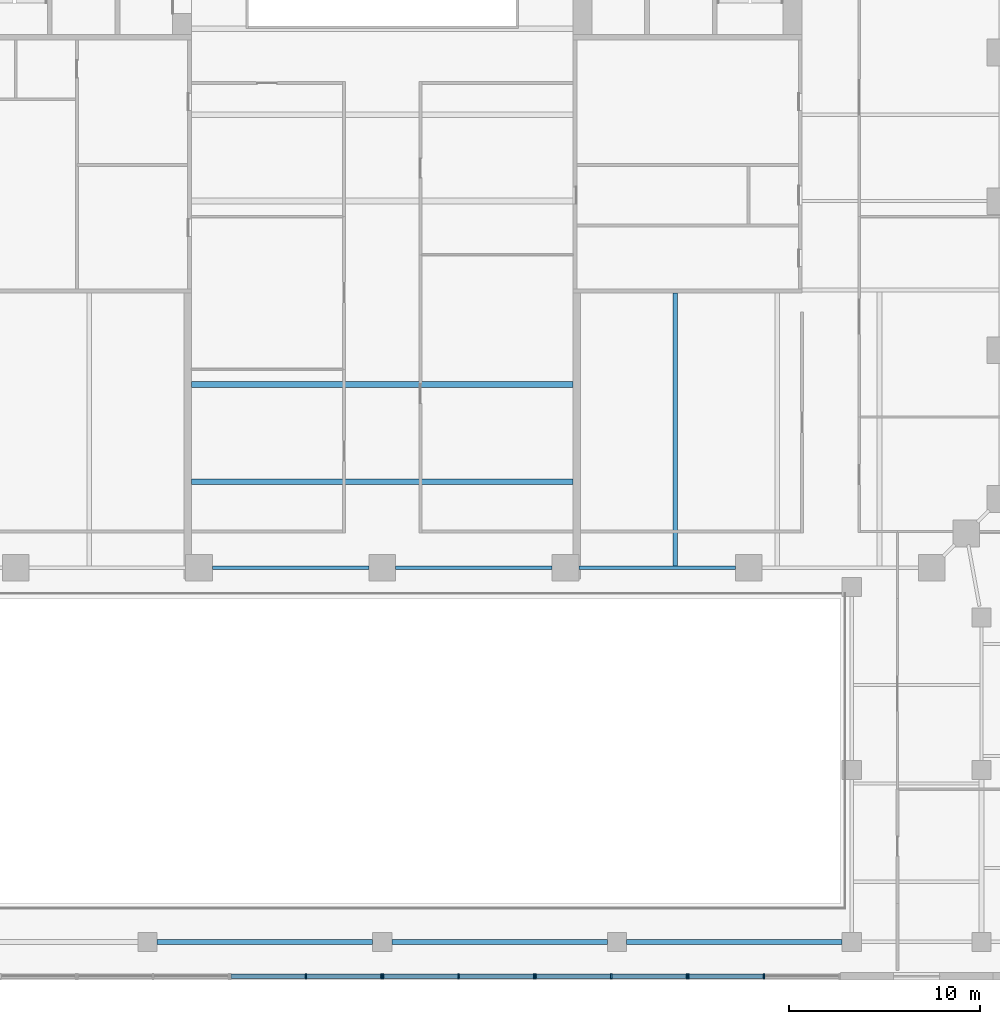
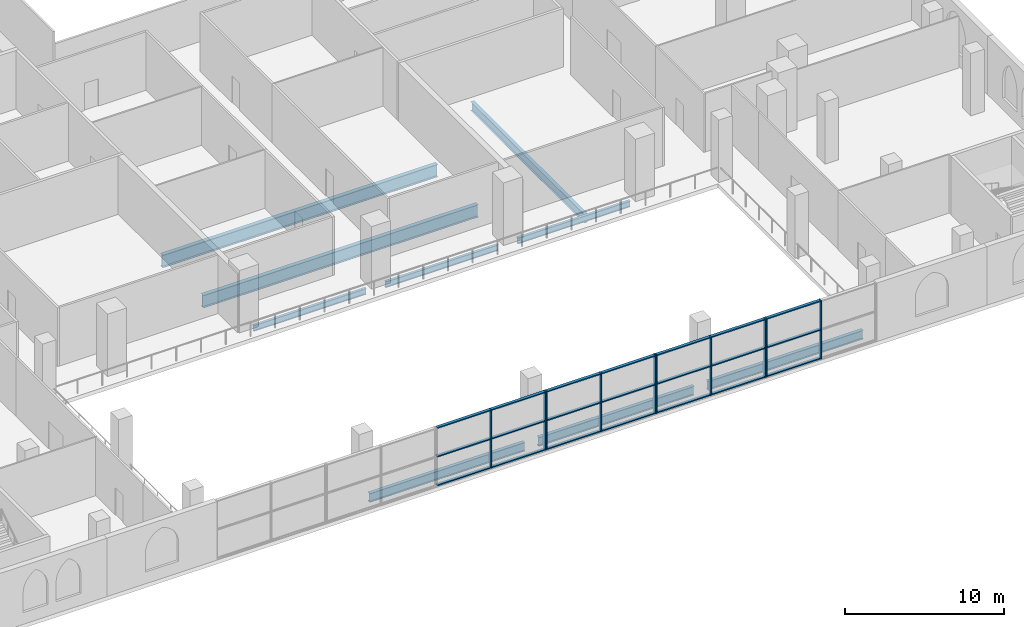
# One storey, part 3 of 19: 31 members, 9 beams, 4 elements without a shape of their own.
"""IFC4 building model written with IfcOpenShell, lengths in metres."""

from ifc_helpers import new_model, si_unit, direction, frame, origin, origin_2d, place, context, subcontext, project, spatial, rectangle, i_section, extrude, material, material_profile, profile_set, type_object, element, aggregate, save


model = new_model("IFC4")

# Units and contexts
model_context = context("Model", 3, precision=1e-05, world=origin(), true_north=direction((0.0, 1.0)))
body_context = subcontext(model_context, "Body", "Model", "MODEL_VIEW")
ifc_project = project(units=[si_unit("LENGTHUNIT", "METRE"), si_unit("AREAUNIT", "SQUARE_METRE"), si_unit("VOLUMEUNIT", "CUBIC_METRE"), si_unit("PLANEANGLEUNIT", "RADIAN"), si_unit("MASSUNIT", "GRAM", prefix="KILO")], contexts=[model_context])

# Site, building, storey
site_placement = place(None, origin())
site = spatial("IfcSite", under=ifc_project, at=site_placement, CompositionType="ELEMENT")
building_placement = place(site_placement, origin())
building = spatial("IfcBuilding", under=site, at=building_placement, Name="Ogive Exchange Tower", CompositionType="ELEMENT")
storey_placement = place(building_placement, frame((0.0, 0.0, 24.0)))
storey = spatial("IfcBuildingStorey", under=building, at=storey_placement, Name="L04", CompositionType="ELEMENT", Elevation=24.0)

# Beams
ifc_material_1 = material(Name="Steel ASTM A992 Gr50", Category="steel")
ifc_material_profile_1 = material_profile(ifc_material_1, i_section(OverallWidth=0.300048828125, OverallDepth=0.969970703125, WebThickness=0.01611328125, FlangeThickness=0.02099609375, at=origin_2d()), Name="W1000x222")
ifc_profile_set_1 = profile_set([ifc_material_profile_1], Name="Steel ASTM A992 Gr50")
beam_type_1 = type_object("IfcBeamType", Name="Floor beam W1000x222", PredefinedType="JOIST", material=ifc_profile_set_1)
for number, where, z_axis, x_axis, name in (
    (1, (-10.0, -25.896728515625, -0.784912109375), (1.0, 0.0, 0.0), (0.0, 1.0, 0.0), "Floor beam"),
    (2, (-10.0, -20.793212890625, -0.784912109375), (1.0, 0.0, 0.0), (0.0, 1.0, 0.0), "Floor beam"),
):
    element("IfcBeam", number, at=place(storey_placement, frame(where, z_axis=z_axis, x_axis=x_axis)), inside=storey, type_object=beam_type_1, Name=name, PredefinedType="JOIST", context=body_context, shape_type="SweptSolid", body=[
        extrude(i_section(OverallWidth=0.300048828125, OverallDepth=0.969970703125, WebThickness=0.01611328125, FlangeThickness=0.02099609375, at=origin_2d()), origin(), (0.0, 0.0, 1.0), 20.0),
    ])
ifc_material_profile_2 = material_profile(ifc_material_1, i_section(OverallWidth=0.25390625, OverallDepth=0.68310546875, WebThickness=0.012451171875, FlangeThickness=0.018798828125, at=origin_2d()), Name="W690x140")
ifc_profile_set_2 = profile_set([ifc_material_profile_2], Name="Steel ASTM A992 Gr50")
beam_type_2 = type_object("IfcBeamType", Name="Floor beam W690x140", PredefinedType="JOIST", material=ifc_profile_set_2)
beam_placement = place(storey_placement, frame((15.35009765625, -30.304443359375, -0.6416015625), z_axis=(0.0, 1.0, 0.0), x_axis=(-1.0, 0.0, 0.0)))
element("IfcBeam", 3, at=beam_placement, inside=storey, type_object=beam_type_2, Name="Floor beam", PredefinedType="JOIST", context=body_context, shape_type="SweptSolid", body=[
    extrude(i_section(OverallWidth=0.25390625, OverallDepth=0.68310546875, WebThickness=0.012451171875, FlangeThickness=0.018798828125, at=origin_2d()), origin(), (0.0, 0.0, 1.0), 14.304443359375),
])

# Curtain wall, members
ifc_material_2 = material(Name="Anodised aluminium and clear glass", Category="aluminium")
curtain_wall_type = type_object("IfcCurtainWallType", Name="Galleria end wall glazing", PredefinedType="NOTDEFINED", material=ifc_material_2)
curtain_wall_1_placement = place(storey_placement, origin())
curtain_wall_1 = element("IfcCurtainWall", 4, at=curtain_wall_1_placement, inside=storey, type_object=curtain_wall_type, Name="Galleria end wall glazing run GE6", PredefinedType="NOTDEFINED")
ifc_material_3 = material(Name="Anodised aluminium", Category="aluminium")
ifc_material_profile_3 = material_profile(ifc_material_3, rectangle(XDim=0.260009765625, YDim=0.080078125, at=origin_2d()), Name="AL 80x260")
ifc_profile_set_3 = profile_set([ifc_material_profile_3], Name="Anodised aluminium")
member_type_1 = type_object("IfcMemberType", Name="Galleria end wall glazing mullion 80 x 260", PredefinedType="MULLION", material=ifc_profile_set_3)
member_1_placement = place(storey_placement, frame((-4.0, -51.800048828125, 0.0), z_axis=(0.0, 0.0, 1.0), x_axis=(0.0, 1.0, 0.0)))
member_1 = element("IfcMember", 5, at=member_1_placement, type_object=member_type_1, Name="GE6 mullion 2", PredefinedType="MULLION", context=body_context, shape_type="SweptSolid", body=[
    extrude(rectangle(XDim=0.260009765625, YDim=0.080078125, at=origin_2d()), origin(), (0.0, 0.0, 1.0), 4.5),
])
member_2_placement = place(storey_placement, frame((-0.0400390625, -51.800048828125, 0.0), z_axis=(0.0, 0.0, 1.0), x_axis=(0.0, 1.0, 0.0)))
member_2 = element("IfcMember", 6, at=member_2_placement, type_object=member_type_1, Name="GE6 mullion 3", PredefinedType="MULLION", context=body_context, shape_type="SweptSolid", body=[
    extrude(rectangle(XDim=0.260009765625, YDim=0.080078125, at=origin_2d()), origin(), (0.0, 0.0, 1.0), 4.5),
])

curtain_wall_2_placement = place(storey_placement, origin())
curtain_wall_2 = element("IfcCurtainWall", 7, at=curtain_wall_2_placement, inside=storey, type_object=curtain_wall_type, Name="Galleria end wall glazing run GE7", PredefinedType="NOTDEFINED")
member_3_placement = place(storey_placement, frame((0.0400390625, -51.800048828125, 0.0), z_axis=(0.0, 0.0, 1.0), x_axis=(0.0, 1.0, 0.0)))
member_3 = element("IfcMember", 8, at=member_3_placement, type_object=member_type_1, Name="GE7 mullion 1", PredefinedType="MULLION", context=body_context, shape_type="SweptSolid", body=[
    extrude(rectangle(XDim=0.260009765625, YDim=0.080078125, at=origin_2d()), origin(), (0.0, 0.0, 1.0), 4.5),
])
member_4_placement = place(storey_placement, frame((4.0, -51.800048828125, 0.0), z_axis=(0.0, 0.0, 1.0), x_axis=(0.0, 1.0, 0.0)))
member_4 = element("IfcMember", 9, at=member_4_placement, type_object=member_type_1, Name="GE7 mullion 2", PredefinedType="MULLION", context=body_context, shape_type="SweptSolid", body=[
    extrude(rectangle(XDim=0.260009765625, YDim=0.080078125, at=origin_2d()), origin(), (0.0, 0.0, 1.0), 4.5),
])
member_5_placement = place(storey_placement, frame((7.9599609375, -51.800048828125, 0.0), z_axis=(0.0, 0.0, 1.0), x_axis=(0.0, 1.0, 0.0)))
member_5 = element("IfcMember", 10, at=member_5_placement, type_object=member_type_1, Name="GE7 mullion 3", PredefinedType="MULLION", context=body_context, shape_type="SweptSolid", body=[
    extrude(rectangle(XDim=0.260009765625, YDim=0.080078125, at=origin_2d()), origin(), (0.0, 0.0, 1.0), 4.5),
])

curtain_wall_3_placement = place(storey_placement, origin())
curtain_wall_3 = element("IfcCurtainWall", 11, at=curtain_wall_3_placement, inside=storey, type_object=curtain_wall_type, Name="Galleria end wall glazing run GE8", PredefinedType="NOTDEFINED")
member_6_placement = place(storey_placement, frame((8.0400390625, -51.800048828125, 0.0), z_axis=(0.0, 0.0, 1.0), x_axis=(0.0, 1.0, 0.0)))
member_6 = element("IfcMember", 12, at=member_6_placement, type_object=member_type_1, Name="GE8 mullion 1", PredefinedType="MULLION", context=body_context, shape_type="SweptSolid", body=[
    extrude(rectangle(XDim=0.260009765625, YDim=0.080078125, at=origin_2d()), origin(), (0.0, 0.0, 1.0), 4.5),
])
member_7_placement = place(storey_placement, frame((12.0, -51.800048828125, 0.0), z_axis=(0.0, 0.0, 1.0), x_axis=(0.0, 1.0, 0.0)))
member_7 = element("IfcMember", 13, at=member_7_placement, type_object=member_type_1, Name="GE8 mullion 2", PredefinedType="MULLION", context=body_context, shape_type="SweptSolid", body=[
    extrude(rectangle(XDim=0.260009765625, YDim=0.080078125, at=origin_2d()), origin(), (0.0, 0.0, 1.0), 4.5),
])
member_8_placement = place(storey_placement, frame((15.9599609375, -51.800048828125, 0.0), z_axis=(0.0, 0.0, 1.0), x_axis=(0.0, 1.0, 0.0)))
member_8 = element("IfcMember", 14, at=member_8_placement, type_object=member_type_1, Name="GE8 mullion 3", PredefinedType="MULLION", context=body_context, shape_type="SweptSolid", body=[
    extrude(rectangle(XDim=0.260009765625, YDim=0.080078125, at=origin_2d()), origin(), (0.0, 0.0, 1.0), 4.5),
])

curtain_wall_4_placement = place(storey_placement, origin())
curtain_wall_4 = element("IfcCurtainWall", 15, at=curtain_wall_4_placement, inside=storey, type_object=curtain_wall_type, Name="Galleria end wall glazing run GE9", PredefinedType="NOTDEFINED")
member_9_placement = place(storey_placement, frame((16.0400390625, -51.800048828125, 0.0), z_axis=(0.0, 0.0, 1.0), x_axis=(0.0, 1.0, 0.0)))
member_9 = element("IfcMember", 16, at=member_9_placement, type_object=member_type_1, Name="GE9 mullion 1", PredefinedType="MULLION", context=body_context, shape_type="SweptSolid", body=[
    extrude(rectangle(XDim=0.260009765625, YDim=0.080078125, at=origin_2d()), origin(), (0.0, 0.0, 1.0), 4.5),
])
member_10_placement = place(storey_placement, frame((20.0, -51.800048828125, 0.0), z_axis=(0.0, 0.0, 1.0), x_axis=(0.0, 1.0, 0.0)))
member_10 = element("IfcMember", 17, at=member_10_placement, type_object=member_type_1, Name="GE9 mullion 2", PredefinedType="MULLION", context=body_context, shape_type="SweptSolid", body=[
    extrude(rectangle(XDim=0.260009765625, YDim=0.080078125, at=origin_2d()), origin(), (0.0, 0.0, 1.0), 4.5),
])

# Member
ifc_material_profile_4 = material_profile(ifc_material_3, rectangle(XDim=0.219970703125, YDim=0.080078125, at=origin_2d()), Name="AL 80x220")
ifc_profile_set_4 = profile_set([ifc_material_profile_4], Name="Anodised aluminium")
member_type_2 = type_object("IfcMemberType", Name="Galleria end wall glazing transom 80 x 220", PredefinedType="USERDEFINED", material=ifc_profile_set_4)
member_11_placement = place(storey_placement, frame((-7.919921875, -51.800048828125, 0.0400390625), z_axis=(1.0, 0.0, 0.0), x_axis=(0.0, 1.0, 0.0)))
member_11 = element("IfcMember", 18, at=member_11_placement, type_object=member_type_2, Name="GE6 transom 1.1", ObjectType="TRANSOM", PredefinedType="USERDEFINED", context=body_context, shape_type="SweptSolid", body=[
    extrude(rectangle(XDim=0.219970703125, YDim=0.080078125, at=origin_2d()), origin(), (0.0, 0.0, 1.0), 3.8798828125),
])

member_12_placement = place(storey_placement, frame((-7.919921875, -51.800048828125, 2.25), z_axis=(1.0, 0.0, 0.0), x_axis=(0.0, 1.0, 0.0)))
member_12 = element("IfcMember", 19, at=member_12_placement, type_object=member_type_2, Name="GE6 transom 1.2", ObjectType="TRANSOM", PredefinedType="USERDEFINED", context=body_context, shape_type="SweptSolid", body=[
    extrude(rectangle(XDim=0.219970703125, YDim=0.080078125, at=origin_2d()), origin(), (0.0, 0.0, 1.0), 3.8798828125),
])

member_13_placement = place(storey_placement, frame((-7.919921875, -51.800048828125, 4.4599609375), z_axis=(1.0, 0.0, 0.0), x_axis=(0.0, 1.0, 0.0)))
member_13 = element("IfcMember", 20, at=member_13_placement, type_object=member_type_2, Name="GE6 transom 1.3", ObjectType="TRANSOM", PredefinedType="USERDEFINED", context=body_context, shape_type="SweptSolid", body=[
    extrude(rectangle(XDim=0.219970703125, YDim=0.080078125, at=origin_2d()), origin(), (0.0, 0.0, 1.0), 3.8798828125),
])

member_14_placement = place(storey_placement, frame((-3.9599609375, -51.800048828125, 0.0400390625), z_axis=(1.0, 0.0, 0.0), x_axis=(0.0, 1.0, 0.0)))
member_14 = element("IfcMember", 21, at=member_14_placement, type_object=member_type_2, Name="GE6 transom 2.1", ObjectType="TRANSOM", PredefinedType="USERDEFINED", context=body_context, shape_type="SweptSolid", body=[
    extrude(rectangle(XDim=0.219970703125, YDim=0.080078125, at=origin_2d()), origin(), (0.0, 0.0, 1.0), 3.8798828125),
])

member_15_placement = place(storey_placement, frame((-3.9599609375, -51.800048828125, 2.25), z_axis=(1.0, 0.0, 0.0), x_axis=(0.0, 1.0, 0.0)))
member_15 = element("IfcMember", 22, at=member_15_placement, type_object=member_type_2, Name="GE6 transom 2.2", ObjectType="TRANSOM", PredefinedType="USERDEFINED", context=body_context, shape_type="SweptSolid", body=[
    extrude(rectangle(XDim=0.219970703125, YDim=0.080078125, at=origin_2d()), origin(), (0.0, 0.0, 1.0), 3.8798828125),
])

member_16_placement = place(storey_placement, frame((-3.9599609375, -51.800048828125, 4.4599609375), z_axis=(1.0, 0.0, 0.0), x_axis=(0.0, 1.0, 0.0)))
member_16 = element("IfcMember", 23, at=member_16_placement, type_object=member_type_2, Name="GE6 transom 2.3", ObjectType="TRANSOM", PredefinedType="USERDEFINED", context=body_context, shape_type="SweptSolid", body=[
    extrude(rectangle(XDim=0.219970703125, YDim=0.080078125, at=origin_2d()), origin(), (0.0, 0.0, 1.0), 3.8798828125),
])

aggregate(curtain_wall_1, [member_1, member_2, member_11, member_12, member_13, member_14, member_15, member_16])

member_17_placement = place(storey_placement, frame((0.080078125, -51.800048828125, 0.0400390625), z_axis=(1.0, 0.0, 0.0), x_axis=(0.0, 1.0, 0.0)))
member_17 = element("IfcMember", 24, at=member_17_placement, type_object=member_type_2, Name="GE7 transom 1.1", ObjectType="TRANSOM", PredefinedType="USERDEFINED", context=body_context, shape_type="SweptSolid", body=[
    extrude(rectangle(XDim=0.219970703125, YDim=0.080078125, at=origin_2d()), origin(), (0.0, 0.0, 1.0), 3.8798828125),
])

member_18_placement = place(storey_placement, frame((0.080078125, -51.800048828125, 2.25), z_axis=(1.0, 0.0, 0.0), x_axis=(0.0, 1.0, 0.0)))
member_18 = element("IfcMember", 25, at=member_18_placement, type_object=member_type_2, Name="GE7 transom 1.2", ObjectType="TRANSOM", PredefinedType="USERDEFINED", context=body_context, shape_type="SweptSolid", body=[
    extrude(rectangle(XDim=0.219970703125, YDim=0.080078125, at=origin_2d()), origin(), (0.0, 0.0, 1.0), 3.8798828125),
])

member_19_placement = place(storey_placement, frame((0.080078125, -51.800048828125, 4.4599609375), z_axis=(1.0, 0.0, 0.0), x_axis=(0.0, 1.0, 0.0)))
member_19 = element("IfcMember", 26, at=member_19_placement, type_object=member_type_2, Name="GE7 transom 1.3", ObjectType="TRANSOM", PredefinedType="USERDEFINED", context=body_context, shape_type="SweptSolid", body=[
    extrude(rectangle(XDim=0.219970703125, YDim=0.080078125, at=origin_2d()), origin(), (0.0, 0.0, 1.0), 3.8798828125),
])

member_20_placement = place(storey_placement, frame((4.0400390625, -51.800048828125, 0.0400390625), z_axis=(1.0, 0.0, 0.0), x_axis=(0.0, 1.0, 0.0)))
member_20 = element("IfcMember", 27, at=member_20_placement, type_object=member_type_2, Name="GE7 transom 2.1", ObjectType="TRANSOM", PredefinedType="USERDEFINED", context=body_context, shape_type="SweptSolid", body=[
    extrude(rectangle(XDim=0.219970703125, YDim=0.080078125, at=origin_2d()), origin(), (0.0, 0.0, 1.0), 3.8798828125),
])

member_21_placement = place(storey_placement, frame((4.0400390625, -51.800048828125, 2.25), z_axis=(1.0, 0.0, 0.0), x_axis=(0.0, 1.0, 0.0)))
member_21 = element("IfcMember", 28, at=member_21_placement, type_object=member_type_2, Name="GE7 transom 2.2", ObjectType="TRANSOM", PredefinedType="USERDEFINED", context=body_context, shape_type="SweptSolid", body=[
    extrude(rectangle(XDim=0.219970703125, YDim=0.080078125, at=origin_2d()), origin(), (0.0, 0.0, 1.0), 3.8798828125),
])

member_22_placement = place(storey_placement, frame((4.0400390625, -51.800048828125, 4.4599609375), z_axis=(1.0, 0.0, 0.0), x_axis=(0.0, 1.0, 0.0)))
member_22 = element("IfcMember", 29, at=member_22_placement, type_object=member_type_2, Name="GE7 transom 2.3", ObjectType="TRANSOM", PredefinedType="USERDEFINED", context=body_context, shape_type="SweptSolid", body=[
    extrude(rectangle(XDim=0.219970703125, YDim=0.080078125, at=origin_2d()), origin(), (0.0, 0.0, 1.0), 3.8798828125),
])

aggregate(curtain_wall_2, [member_3, member_4, member_5, member_17, member_18, member_19, member_20, member_21, member_22])

member_23_placement = place(storey_placement, frame((8.080078125, -51.800048828125, 0.0400390625), z_axis=(1.0, 0.0, 0.0), x_axis=(0.0, 1.0, 0.0)))
member_23 = element("IfcMember", 30, at=member_23_placement, type_object=member_type_2, Name="GE8 transom 1.1", ObjectType="TRANSOM", PredefinedType="USERDEFINED", context=body_context, shape_type="SweptSolid", body=[
    extrude(rectangle(XDim=0.219970703125, YDim=0.080078125, at=origin_2d()), origin(), (0.0, 0.0, 1.0), 3.8798828125),
])

member_24_placement = place(storey_placement, frame((8.080078125, -51.800048828125, 2.25), z_axis=(1.0, 0.0, 0.0), x_axis=(0.0, 1.0, 0.0)))
member_24 = element("IfcMember", 31, at=member_24_placement, type_object=member_type_2, Name="GE8 transom 1.2", ObjectType="TRANSOM", PredefinedType="USERDEFINED", context=body_context, shape_type="SweptSolid", body=[
    extrude(rectangle(XDim=0.219970703125, YDim=0.080078125, at=origin_2d()), origin(), (0.0, 0.0, 1.0), 3.8798828125),
])

member_25_placement = place(storey_placement, frame((8.080078125, -51.800048828125, 4.4599609375), z_axis=(1.0, 0.0, 0.0), x_axis=(0.0, 1.0, 0.0)))
member_25 = element("IfcMember", 32, at=member_25_placement, type_object=member_type_2, Name="GE8 transom 1.3", ObjectType="TRANSOM", PredefinedType="USERDEFINED", context=body_context, shape_type="SweptSolid", body=[
    extrude(rectangle(XDim=0.219970703125, YDim=0.080078125, at=origin_2d()), origin(), (0.0, 0.0, 1.0), 3.8798828125),
])

member_26_placement = place(storey_placement, frame((12.0400390625, -51.800048828125, 0.0400390625), z_axis=(1.0, 0.0, 0.0), x_axis=(0.0, 1.0, 0.0)))
member_26 = element("IfcMember", 33, at=member_26_placement, type_object=member_type_2, Name="GE8 transom 2.1", ObjectType="TRANSOM", PredefinedType="USERDEFINED", context=body_context, shape_type="SweptSolid", body=[
    extrude(rectangle(XDim=0.219970703125, YDim=0.080078125, at=origin_2d()), origin(), (0.0, 0.0, 1.0), 3.8798828125),
])

member_27_placement = place(storey_placement, frame((12.0400390625, -51.800048828125, 2.25), z_axis=(1.0, 0.0, 0.0), x_axis=(0.0, 1.0, 0.0)))
member_27 = element("IfcMember", 34, at=member_27_placement, type_object=member_type_2, Name="GE8 transom 2.2", ObjectType="TRANSOM", PredefinedType="USERDEFINED", context=body_context, shape_type="SweptSolid", body=[
    extrude(rectangle(XDim=0.219970703125, YDim=0.080078125, at=origin_2d()), origin(), (0.0, 0.0, 1.0), 3.8798828125),
])

member_28_placement = place(storey_placement, frame((12.0400390625, -51.800048828125, 4.4599609375), z_axis=(1.0, 0.0, 0.0), x_axis=(0.0, 1.0, 0.0)))
member_28 = element("IfcMember", 35, at=member_28_placement, type_object=member_type_2, Name="GE8 transom 2.3", ObjectType="TRANSOM", PredefinedType="USERDEFINED", context=body_context, shape_type="SweptSolid", body=[
    extrude(rectangle(XDim=0.219970703125, YDim=0.080078125, at=origin_2d()), origin(), (0.0, 0.0, 1.0), 3.8798828125),
])

aggregate(curtain_wall_3, [member_6, member_7, member_8, member_23, member_24, member_25, member_26, member_27, member_28])

member_29_placement = place(storey_placement, frame((16.080078125, -51.800048828125, 0.0400390625), z_axis=(1.0, 0.0, 0.0), x_axis=(0.0, 1.0, 0.0)))
member_29 = element("IfcMember", 36, at=member_29_placement, type_object=member_type_2, Name="GE9 transom 1.1", ObjectType="TRANSOM", PredefinedType="USERDEFINED", context=body_context, shape_type="SweptSolid", body=[
    extrude(rectangle(XDim=0.219970703125, YDim=0.080078125, at=origin_2d()), origin(), (0.0, 0.0, 1.0), 3.8798828125),
])

member_30_placement = place(storey_placement, frame((16.080078125, -51.800048828125, 2.25), z_axis=(1.0, 0.0, 0.0), x_axis=(0.0, 1.0, 0.0)))
member_30 = element("IfcMember", 37, at=member_30_placement, type_object=member_type_2, Name="GE9 transom 1.2", ObjectType="TRANSOM", PredefinedType="USERDEFINED", context=body_context, shape_type="SweptSolid", body=[
    extrude(rectangle(XDim=0.219970703125, YDim=0.080078125, at=origin_2d()), origin(), (0.0, 0.0, 1.0), 3.8798828125),
])

member_31_placement = place(storey_placement, frame((16.080078125, -51.800048828125, 4.4599609375), z_axis=(1.0, 0.0, 0.0), x_axis=(0.0, 1.0, 0.0)))
member_31 = element("IfcMember", 38, at=member_31_placement, type_object=member_type_2, Name="GE9 transom 1.3", ObjectType="TRANSOM", PredefinedType="USERDEFINED", context=body_context, shape_type="SweptSolid", body=[
    extrude(rectangle(XDim=0.219970703125, YDim=0.080078125, at=origin_2d()), origin(), (0.0, 0.0, 1.0), 3.8798828125),
])

aggregate(curtain_wall_4, [member_9, member_10, member_29, member_30, member_31])

# Beams
ifc_material_profile_5 = material_profile(ifc_material_1, i_section(OverallWidth=0.19091796875, OverallDepth=0.45703125, WebThickness=0.009033203125, FlangeThickness=0.014404296875, at=origin_2d()), Name="W460x74")
ifc_profile_set_5 = profile_set([ifc_material_profile_5], Name="Steel ASTM A992 Gr50")
beam_type_3 = type_object("IfcBeamType", Name="Girder W460x74", PredefinedType="BEAM", material=ifc_profile_set_5)
for number, where, z_axis, x_axis, name in (
    (39, (-8.89990234375, -30.39990234375, -0.528564453125), (1.0, 0.0, 0.0), (0.0, 1.0, 0.0), "Girder"),
    (40, (0.699951171875, -30.39990234375, -0.528564453125), (1.0, 0.0, 0.0), (0.0, 1.0, 0.0), "Girder"),
    (41, (10.300048828125, -30.39990234375, -0.528564453125), (1.0, 0.0, 0.0), (0.0, 1.0, 0.0), "Girder"),
):
    element("IfcBeam", number, at=place(storey_placement, frame(where, z_axis=z_axis, x_axis=x_axis)), inside=storey, type_object=beam_type_3, Name=name, PredefinedType="BEAM", context=body_context, shape_type="SweptSolid", body=[
        extrude(i_section(OverallWidth=0.19091796875, OverallDepth=0.45703125, WebThickness=0.009033203125, FlangeThickness=0.014404296875, at=origin_2d()), origin(), (0.0, 0.0, 1.0), 8.199951171875),
    ])
ifc_material_profile_6 = material_profile(ifc_material_1, i_section(OverallWidth=0.25390625, OverallDepth=0.677978515625, WebThickness=0.01171875, FlangeThickness=0.016357421875, at=origin_2d()), Name="W690x125")
ifc_profile_set_6 = profile_set([ifc_material_profile_6], Name="Steel ASTM A992 Gr50")
beam_type_4 = type_object("IfcBeamType", Name="Girder W690x125", PredefinedType="BEAM", material=ifc_profile_set_6)
for number, where, z_axis, x_axis, name in (
    (42, (-11.800048828125, -50.0, -0.638916015625), (1.0, 0.0, 0.0), (0.0, 1.0, 0.0), "Girder"),
    (43, (0.5, -50.0, -0.638916015625), (1.0, 0.0, 0.0), (0.0, 1.0, 0.0), "Girder"),
    (44, (12.800048828125, -50.0, -0.638916015625), (1.0, 0.0, 0.0), (0.0, 1.0, 0.0), "Girder"),
):
    element("IfcBeam", number, at=place(storey_placement, frame(where, z_axis=z_axis, x_axis=x_axis)), inside=storey, type_object=beam_type_4, Name=name, PredefinedType="BEAM", context=body_context, shape_type="SweptSolid", body=[
        extrude(i_section(OverallWidth=0.25390625, OverallDepth=0.677978515625, WebThickness=0.01171875, FlangeThickness=0.016357421875, at=origin_2d()), origin(), (0.0, 0.0, 1.0), 11.300048828125),
    ])

save(model, "model.ifc")
